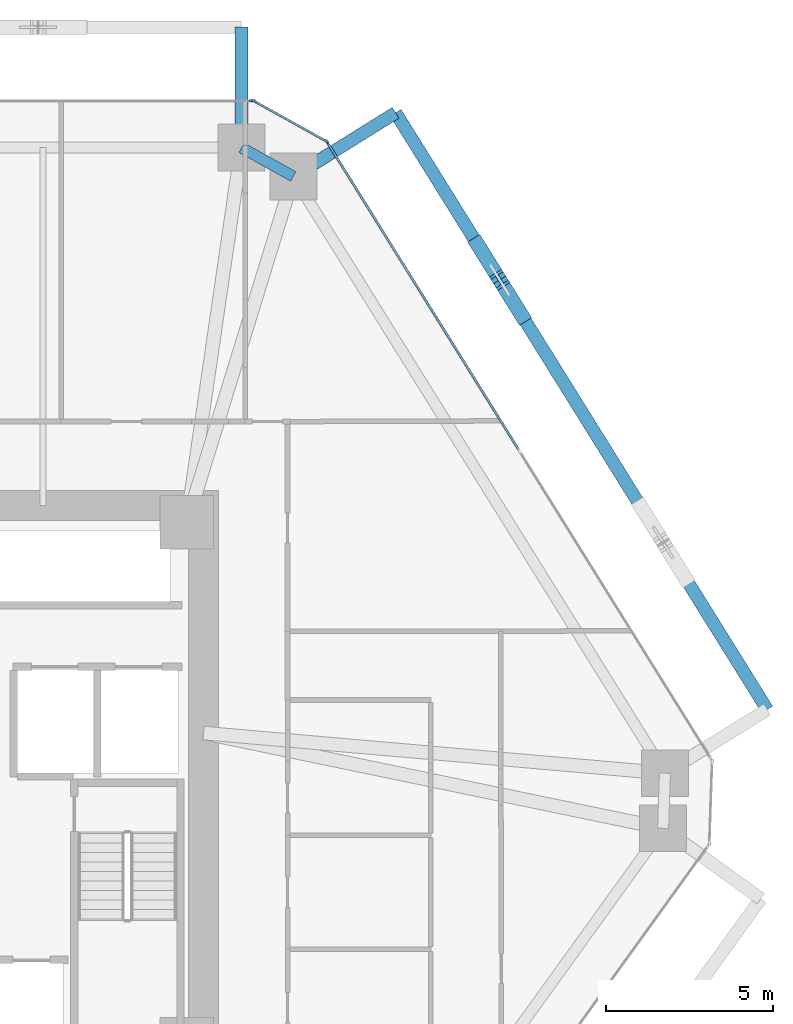
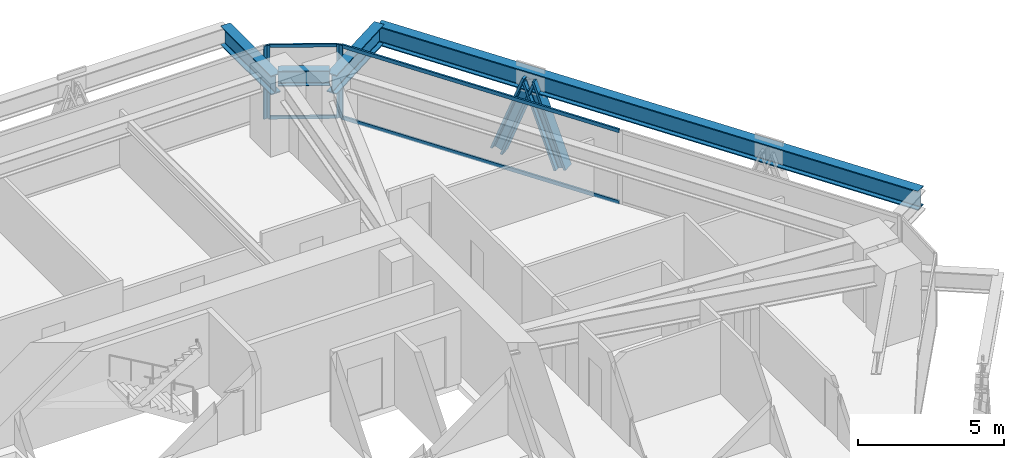
# One storey, part 9 of 17: 10 members, 4 beams, 3 elements without a shape of their own.
"""IFC4 building model written with IfcOpenShell, lengths in metres."""

from ifc_helpers import new_model, si_unit, direction, frame, origin, origin_2d, place, context, subcontext, project, spatial, rectangle, i_section, extrude, source, transform, mapped, material, layer, layer_set, material_profile, profile_set, type_object, type_shapes, element, aggregate, save


model = new_model("IFC4")

# Units and contexts
model_context = context("Model", 3, precision=1e-05, world=origin(), true_north=direction((0.0, 1.0)))
body_context = subcontext(model_context, "Body", "Model", "MODEL_VIEW")
ifc_project = project(units=[si_unit("LENGTHUNIT", "METRE"), si_unit("AREAUNIT", "SQUARE_METRE"), si_unit("VOLUMEUNIT", "CUBIC_METRE"), si_unit("PLANEANGLEUNIT", "RADIAN"), si_unit("MASSUNIT", "GRAM", prefix="KILO")], contexts=[model_context])

# Site, building, storey
site_placement = place(None, origin())
site = spatial("IfcSite", under=ifc_project, at=site_placement, CompositionType="ELEMENT")
building_placement = place(site_placement, origin())
building = spatial("IfcBuilding", under=site, at=building_placement, Name="Durnholm Broadcast Tower", CompositionType="ELEMENT")
storey_placement = place(building_placement, frame((0.0, 0.0, 72.0)))
storey = spatial("IfcBuildingStorey", under=building, at=storey_placement, Name="L18", CompositionType="ELEMENT", Elevation=72.0)

# Beams
ifc_material_1 = material(Name="Steel ASTM A992 Grade 50", Category="steel")
ifc_material_profile_1 = material_profile(ifc_material_1, i_section(OverallWidth=0.3291015625, OverallDepth=0.635009765625, WebThickness=0.017822265625, FlangeThickness=0.031005859375, FilletRadius=0.02783203125, at=origin_2d()), Name="W24X162")
ifc_profile_set_1 = profile_set([ifc_material_profile_1], Name="Steel ASTM A992 Grade 50")
beam_type_1 = type_object("IfcBeamType", Name="STL-SP-W24X162", PredefinedType="SPANDREL", material=ifc_profile_set_1)
shared_shape_1 = source(origin(), body_context, "Body", "SweptSolid", [
    extrude(i_section(OverallWidth=0.3291015625, OverallDepth=0.635009765625, WebThickness=0.017822265625, FlangeThickness=0.031005859375, FilletRadius=0.02783203125, at=origin_2d()), origin(), (0.0, 0.0, 1.0), 1.774658203125),
])
type_shapes(beam_type_1, [shared_shape_1])
beam_1_placement = place(storey_placement, frame((11.43115234375, 19.0, 2.7275390625), z_axis=(0.874248107979, -0.485479397806, 0.0), x_axis=(0.485479397806, 0.874248107979, 0.0)))
element("IfcBeam", 1, at=beam_1_placement, inside=storey, type_object=beam_type_1, Name="L18 perimeter spandrel girder 06", PredefinedType="SPANDREL", context=body_context, shape_type="MappedRepresentation", body=[
    mapped(shared_shape_1, transform((0.0, 0.0, 0.0), x_axis=(1.0, 0.0, 0.0), y_axis=(0.0, 1.0, 0.0), z_axis=(0.0, 0.0, 1.0), scale=1.0)),
])
ifc_material_profile_2 = material_profile(ifc_material_1, i_section(OverallWidth=0.385009765625, OverallDepth=0.802978515625, WebThickness=0.023681640625, FlangeThickness=0.0419921875, FilletRadius=0.032958984375, at=origin_2d()), Name="W30X261")
ifc_profile_set_2 = profile_set([ifc_material_profile_2], Name="Steel ASTM A992 Grade 50")
beam_type_2 = type_object("IfcBeamType", Name="BM-EXO-TIE", PredefinedType="USERDEFINED", material=ifc_profile_set_2)
shared_shape_2 = source(origin(), body_context, "Body", "SweptSolid", [
    extrude(i_section(OverallWidth=0.385009765625, OverallDepth=0.802978515625, WebThickness=0.023681640625, FlangeThickness=0.0419921875, FilletRadius=0.032958984375, at=origin_2d()), origin(), (0.0, 0.0, 1.0), 3.4560546875),
])
for number, where, z_axis, x_axis, name in (
    (2, (13.10498046875, 18.214599609375, 2.30859375), (0.848854443891, 0.528626648105, 0.0), (-0.528626648105, 0.848854443891, 0.0), "L18 exoskeleton stand-off tie bracket F3.2"),
    (3, (11.43115234375, 19.14404296875, 2.30859375), (0.0, 1.0, 0.0), (-1.0, 0.0, 0.0), "L18 exoskeleton stand-off tie bracket F4.1"),
):
    element("IfcBeam", number, at=place(storey_placement, frame(where, z_axis=z_axis, x_axis=x_axis)), inside=storey, type_object=beam_type_2, Name=name, ObjectType="GIRDER", PredefinedType="USERDEFINED", context=body_context, shape_type="MappedRepresentation", body=[
        mapped(shared_shape_2, transform((0.0, 0.0, 0.0), x_axis=(1.0, 0.0, 0.0), y_axis=(0.0, 1.0, 0.0), z_axis=(0.0, 0.0, 1.0), scale=1.0)),
    ])
shared_shape_3 = source(origin(), body_context, "Body", "SweptSolid", [
    extrude(i_section(OverallWidth=0.385009765625, OverallDepth=0.802978515625, WebThickness=0.023681640625, FlangeThickness=0.0419921875, FilletRadius=0.032958984375, at=origin_2d()), origin(), (0.0, 0.0, 1.0), 21.0146484375),
])
type_shapes(beam_type_2, [shared_shape_2, shared_shape_3])
beam_2_placement = place(storey_placement, frame((27.146728515625, 2.20263671875, 2.30859375), z_axis=(-0.528590518575, 0.848876942597, 0.0), x_axis=(-0.848876942597, -0.528590518575, 0.0)))
element("IfcBeam", 4, at=beam_2_placement, inside=storey, type_object=beam_type_2, Name="L18 exoskeleton collector spandrel F3", PredefinedType="SPANDREL", context=body_context, shape_type="MappedRepresentation", body=[
    mapped(shared_shape_3, transform((0.0, 0.0, 0.0), x_axis=(1.0, 0.0, 0.0), y_axis=(0.0, 1.0, 0.0), z_axis=(0.0, 0.0, 1.0), scale=1.0)),
])

# Members
ifc_material_2 = material(Name="Steel ASTM A913 Grade 65", Category="steel")
ifc_material_profile_3 = material_profile(ifc_material_2, i_section(OverallWidth=0.43212890625, OverallDepth=0.497802734375, WebThickness=0.0556640625, FlangeThickness=0.0888671875, FilletRadius=0.030517578125, at=origin_2d()), Name="W14X500")
ifc_profile_set_3 = profile_set([ifc_material_profile_3], Name="Steel ASTM A913 Grade 65")
member_type_1 = type_object("IfcMemberType", Name="STL-DG-W14X500", PredefinedType="BRACE", material=ifc_profile_set_3)
shared_shape_4 = source(origin(), body_context, "Body", "SweptSolid", [
    extrude(i_section(OverallWidth=0.43212890625, OverallDepth=0.497802734375, WebThickness=0.0556640625, FlangeThickness=0.0888671875, FilletRadius=0.030517578125, at=origin_2d()), origin(), (0.0, 0.0, 1.0), 3.523193359375),
])
type_shapes(member_type_1, [shared_shape_4])
for number, where, z_axis, x_axis, name in (
    (5, (19.801025390625, 13.9990234375, -0.991455078125), (-0.185090383068, 0.297281072018, 0.936677913861), (-0.848908635391, -0.528539618911, 0.0), "L18 stand-off diagrid brace F3.D2.1"),
    (6, (18.496826171875, 16.09375, -0.991455078125), (0.185090383068, -0.297281072018, 0.936677913861), (0.848908635391, 0.528539618911, 0.0), "L18 stand-off diagrid brace F3.D2.2"),
):
    element("IfcMember", number, at=place(storey_placement, frame(where, z_axis=z_axis, x_axis=x_axis)), inside=storey, type_object=member_type_1, Name=name, PredefinedType="BRACE", context=body_context, shape_type="MappedRepresentation", body=[
        mapped(shared_shape_4, transform((0.0, 0.0, 0.0), x_axis=(1.0, 0.0, 0.0), y_axis=(0.0, 1.0, 0.0), z_axis=(0.0, 0.0, 1.0), scale=1.0)),
    ])

# Curtain wall, members
ifc_material_3 = material(Name="Aluminium and Solar Control IGU", Category="aluminium")
ifc_layer_1 = layer(ifc_material_3, 0.1650390625)
ifc_layer_set_1 = layer_set([ifc_layer_1], Name="Aluminium and Solar Control IGU")
curtain_wall_type_1 = type_object("IfcCurtainWallType", Name="CW-SYS-5", PredefinedType="NOTDEFINED", material=ifc_layer_set_1)
curtain_wall_1_placement = place(storey_placement, origin())
curtain_wall_1 = element("IfcCurtainWall", 7, at=curtain_wall_1_placement, inside=storey, type_object=curtain_wall_type_1, Name="L18 curtain wall CW-CORNER CW-L18-CRN-05", PredefinedType="NOTDEFINED")
ifc_material_4 = material(Name="Aluminium 6063-T6", Category="aluminium")
ifc_material_profile_4 = material_profile(ifc_material_4, rectangle(XDim=0.06494140625, YDim=0.1650390625, at=origin_2d()), Name="CWM65X165")
ifc_profile_set_4 = profile_set([ifc_material_profile_4], Name="Aluminium 6063-T6")
member_type_2 = type_object("IfcMemberType", Name="CW-SYS-5-MUL", PredefinedType="MULLION", material=ifc_profile_set_4)
shared_shape_5 = source(origin(), body_context, "Body", "SweptSolid", [
    extrude(rectangle(XDim=0.06494140625, YDim=0.1650390625, at=origin_2d()), origin(), (0.0, 0.0, 1.0), 3.06005859375),
])
type_shapes(member_type_2, [shared_shape_5])
member_1_placement = place(storey_placement, frame((11.822265625, 20.38427734375, 0.0), z_axis=(0.0, 0.0, 1.0), x_axis=(0.485483299359, 0.874245941394, 0.0)))
member_1 = element("IfcMember", 8, at=member_1_placement, type_object=member_type_2, Name="CW-CORNER mullion 1", PredefinedType="MULLION", context=body_context, shape_type="MappedRepresentation", body=[
    mapped(shared_shape_5, transform((0.0, 0.0, 0.0), x_axis=(1.0, 0.0, 0.0), y_axis=(0.0, 1.0, 0.0), z_axis=(0.0, 0.0, 1.0), scale=1.0)),
])
member_2_placement = place(storey_placement, frame((13.950927734375, 19.2021484375, 0.0), z_axis=(0.0, 0.0, 1.0), x_axis=(0.485483299359, 0.874245941394, 0.0)))
member_2 = element("IfcMember", 9, at=member_2_placement, type_object=member_type_2, Name="CW-CORNER mullion 2", PredefinedType="MULLION", context=body_context, shape_type="MappedRepresentation", body=[
    mapped(shared_shape_5, transform((0.0, 0.0, 0.0), x_axis=(1.0, 0.0, 0.0), y_axis=(0.0, 1.0, 0.0), z_axis=(0.0, 0.0, 1.0), scale=1.0)),
])
ifc_material_profile_5 = material_profile(ifc_material_4, rectangle(XDim=0.06494140625, YDim=0.1298828125, at=origin_2d()), Name="CWT65X130")
ifc_profile_set_5 = profile_set([ifc_material_profile_5], Name="Aluminium 6063-T6")
member_type_3 = type_object("IfcMemberType", Name="CW-SYS-5-TRN", PredefinedType="USERDEFINED", material=ifc_profile_set_5)
shared_shape_6 = source(origin(), body_context, "Body", "SweptSolid", [
    extrude(rectangle(XDim=0.06494140625, YDim=0.1298828125, at=origin_2d()), origin(), (0.0, 0.0, 1.0), 2.3701171875),
])
type_shapes(member_type_3, [shared_shape_6])
member_3_placement = place(storey_placement, frame((11.8505859375, 20.368408203125, 0.032470703125), z_axis=(0.874244723151, -0.485485493132, 0.0), x_axis=(0.485485493132, 0.874244723151, 0.0)))
member_3 = element("IfcMember", 10, at=member_3_placement, type_object=member_type_3, Name="CW-CORNER transom 1.1", ObjectType="TRANSOM", PredefinedType="USERDEFINED", context=body_context, shape_type="MappedRepresentation", body=[
    mapped(shared_shape_6, transform((0.0, 0.0, 0.0), x_axis=(1.0, 0.0, 0.0), y_axis=(0.0, 1.0, 0.0), z_axis=(0.0, 0.0, 1.0), scale=1.0)),
])
member_4_placement = place(storey_placement, frame((11.8505859375, 20.368408203125, 3.027587890625), z_axis=(0.874244723151, -0.485485493132, 0.0), x_axis=(0.485485493132, 0.874244723151, 0.0)))
member_4 = element("IfcMember", 11, at=member_4_placement, type_object=member_type_3, Name="CW-CORNER transom 1.2", ObjectType="TRANSOM", PredefinedType="USERDEFINED", context=body_context, shape_type="MappedRepresentation", body=[
    mapped(shared_shape_6, transform((0.0, 0.0, 0.0), x_axis=(1.0, 0.0, 0.0), y_axis=(0.0, 1.0, 0.0), z_axis=(0.0, 0.0, 1.0), scale=1.0)),
])
aggregate(curtain_wall_1, [member_1, member_2, member_3, member_4])

# Curtain wall, member
ifc_layer_2 = layer(ifc_material_3, 0.18994140625)
ifc_layer_set_2 = layer_set([ifc_layer_2], Name="Aluminium and Solar Control IGU")
curtain_wall_type_2 = type_object("IfcCurtainWallType", Name="CW-SYS-3", PredefinedType="NOTDEFINED", material=ifc_layer_set_2)
curtain_wall_2_placement = place(storey_placement, origin())
curtain_wall_2 = element("IfcCurtainWall", 12, at=curtain_wall_2_placement, inside=storey, type_object=curtain_wall_type_2, Name="L18 curtain wall CW-Z12-VIS CW-L18-F04", PredefinedType="NOTDEFINED")
ifc_material_profile_6 = material_profile(ifc_material_4, rectangle(XDim=0.070068359375, YDim=0.18994140625, at=origin_2d()), Name="CWM70X190")
ifc_profile_set_6 = profile_set([ifc_material_profile_6], Name="Aluminium 6063-T6")
member_type_4 = type_object("IfcMemberType", Name="CW-SYS-3-MUL", PredefinedType="MULLION", material=ifc_profile_set_6)
shared_shape_7 = source(origin(), body_context, "Body", "SweptSolid", [
    extrude(rectangle(XDim=0.070068359375, YDim=0.18994140625, at=origin_2d()), origin(), (0.0, 0.0, 1.0), 3.06005859375),
])
type_shapes(member_type_4, [shared_shape_7])
member_5_placement = place(storey_placement, frame((11.7587890625, 20.39990234375, 0.0), z_axis=(0.0, 0.0, 1.0), x_axis=(0.0, 1.0, 0.0)))
member_5 = element("IfcMember", 13, at=member_5_placement, type_object=member_type_4, Name="CW-Z12-VIS mullion 3", PredefinedType="MULLION", context=body_context, shape_type="MappedRepresentation", body=[
    mapped(shared_shape_7, transform((0.0, 0.0, 0.0), x_axis=(1.0, 0.0, 0.0), y_axis=(0.0, 1.0, 0.0), z_axis=(0.0, 0.0, 1.0), scale=1.0)),
])
aggregate(curtain_wall_2, [member_5])

# Curtain wall, members
curtain_wall_3_placement = place(storey_placement, origin())
curtain_wall_3 = element("IfcCurtainWall", 14, at=curtain_wall_3_placement, inside=storey, type_object=curtain_wall_type_2, Name="L18 curtain wall CW-Z12-VIS CW-L18-F06", PredefinedType="NOTDEFINED")
member_6_placement = place(storey_placement, frame((13.997802734375, 19.156494140625, 0.0), z_axis=(0.0, 0.0, 1.0), x_axis=(0.848875785503, 0.528592376777, 0.0)))
member_6 = element("IfcMember", 15, at=member_6_placement, type_object=member_type_4, Name="CW-Z12-VIS mullion 1", PredefinedType="MULLION", context=body_context, shape_type="MappedRepresentation", body=[
    mapped(shared_shape_7, transform((0.0, 0.0, 0.0), x_axis=(1.0, 0.0, 0.0), y_axis=(0.0, 1.0, 0.0), z_axis=(0.0, 0.0, 1.0), scale=1.0)),
])
ifc_material_profile_7 = material_profile(ifc_material_4, rectangle(XDim=0.070068359375, YDim=0.14990234375, at=origin_2d()), Name="CWT70X150")
ifc_profile_set_7 = profile_set([ifc_material_profile_7], Name="Aluminium 6063-T6")
member_type_5 = type_object("IfcMemberType", Name="CW-SYS-3-TRN", PredefinedType="USERDEFINED", material=ifc_profile_set_7)
shared_shape_8 = source(origin(), body_context, "Body", "SweptSolid", [
    extrude(rectangle(XDim=0.070068359375, YDim=0.14990234375, at=origin_2d()), origin(), (0.0, 0.0, 1.0), 10.796630859375),
])
type_shapes(member_type_5, [shared_shape_8])
member_7_placement = place(storey_placement, frame((14.016357421875, 19.126953125, 0.034912109375), z_axis=(0.528591657678, -0.848876233283, 0.0), x_axis=(0.848876233283, 0.528591657678, 0.0)))
member_7 = element("IfcMember", 16, at=member_7_placement, type_object=member_type_5, Name="CW-Z12-VIS transom 1.1", ObjectType="TRANSOM", PredefinedType="USERDEFINED", context=body_context, shape_type="MappedRepresentation", body=[
    mapped(shared_shape_8, transform((0.0, 0.0, 0.0), x_axis=(1.0, 0.0, 0.0), y_axis=(0.0, 1.0, 0.0), z_axis=(0.0, 0.0, 1.0), scale=1.0)),
])
member_8_placement = place(storey_placement, frame((14.016357421875, 19.126953125, 3.02490234375), z_axis=(0.528591657678, -0.848876233283, 0.0), x_axis=(0.848876233283, 0.528591657678, 0.0)))
member_8 = element("IfcMember", 17, at=member_8_placement, type_object=member_type_5, Name="CW-Z12-VIS transom 1.2", ObjectType="TRANSOM", PredefinedType="USERDEFINED", context=body_context, shape_type="MappedRepresentation", body=[
    mapped(shared_shape_8, transform((0.0, 0.0, 0.0), x_axis=(1.0, 0.0, 0.0), y_axis=(0.0, 1.0, 0.0), z_axis=(0.0, 0.0, 1.0), scale=1.0)),
])
aggregate(curtain_wall_3, [member_6, member_7, member_8])

save(model, "model.ifc")
